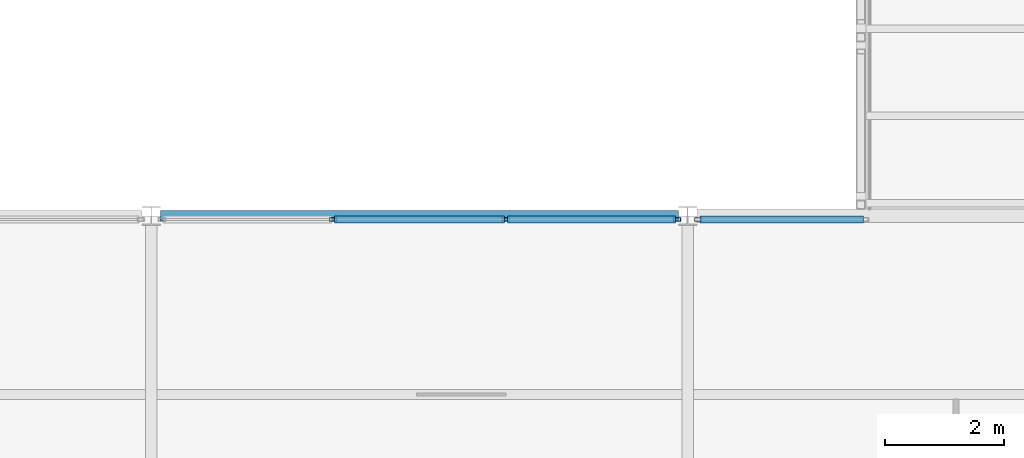
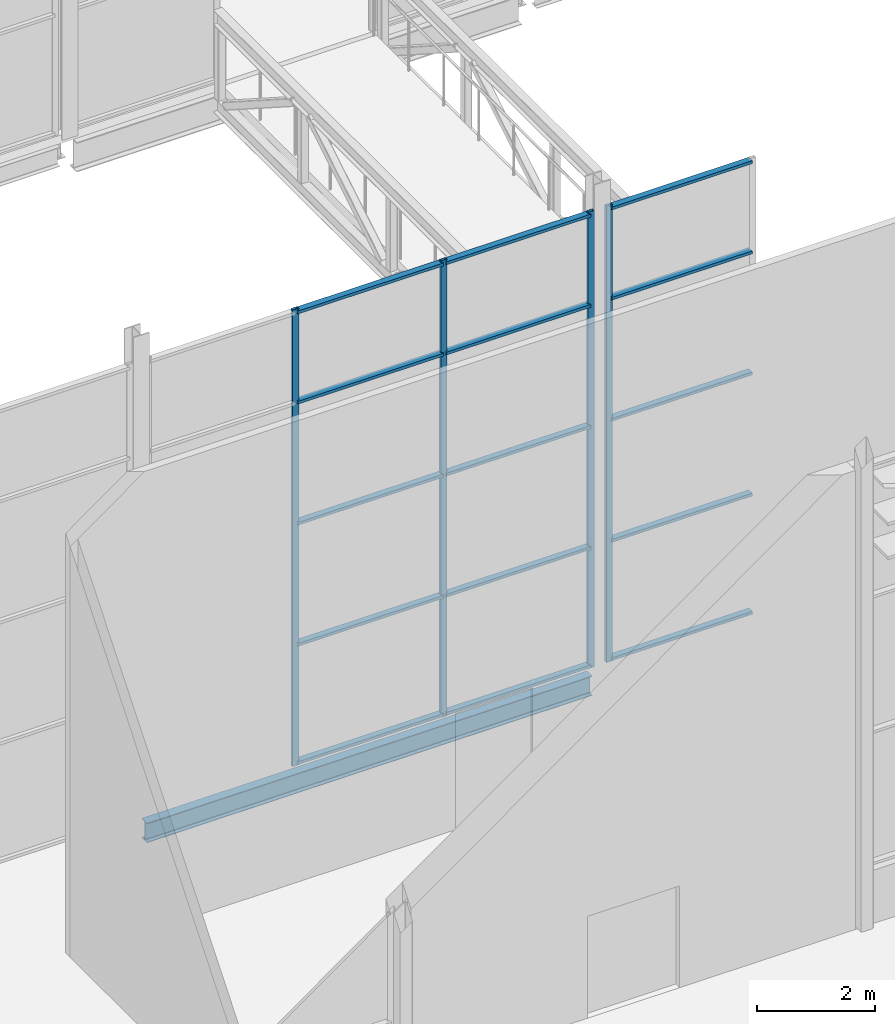
# One storey, part 21 of 111: 19 members, 1 beam, 2 elements without a shape of their own.
"""IFC4 building model written with IfcOpenShell, lengths in metres."""

from ifc_helpers import new_model, si_unit, direction, frame, origin, origin_2d, place, context, subcontext, project, spatial, hollow_rectangle, i_section, extrude, material, layer, layer_set, material_profile, profile_set, type_object, element, aggregate, save


model = new_model("IFC4")

# Units and contexts
model_context = context("Model", 3, precision=1e-05, world=origin(), true_north=direction((0.0, 1.0)))
body_context = subcontext(model_context, "Body", "Model", "MODEL_VIEW")
ifc_project = project(units=[si_unit("LENGTHUNIT", "METRE"), si_unit("AREAUNIT", "SQUARE_METRE"), si_unit("VOLUMEUNIT", "CUBIC_METRE"), si_unit("PLANEANGLEUNIT", "RADIAN"), si_unit("MASSUNIT", "GRAM", prefix="KILO")], contexts=[model_context])

# Site, building, storey
site_placement = place(None, origin())
site = spatial("IfcSite", under=ifc_project, at=site_placement, CompositionType="ELEMENT")
building_placement = place(site_placement, origin())
building = spatial("IfcBuilding", under=site, at=building_placement, Name="Shorebreak Coast Museum", CompositionType="ELEMENT")
storey_placement = place(building_placement, frame((0.0, 0.0, 16.0)))
storey = spatial("IfcBuildingStorey", under=building, at=storey_placement, Name="L03", CompositionType="ELEMENT", Elevation=16.0)

# Beam
ifc_material_1 = material(Name="Steel Grade 300", Category="steel")
ifc_material_profile_1 = material_profile(ifc_material_1, i_section(OverallWidth=0.177978515625, OverallDepth=0.402587890625, WebThickness=0.007568359375, FlangeThickness=0.010986328125, FilletRadius=0.011474609375, at=origin_2d()), Name="410UB53.7")
ifc_profile_set_1 = profile_set([ifc_material_profile_1], Name="Steel Grade 300")
beam_type = type_object("IfcBeamType", Name="Floor girder east-west 410UB53.7", PredefinedType="BEAM", material=ifc_profile_set_1)
beam_placement = place(storey_placement, frame((72.155517578125, 63.0, -0.376220703125), z_axis=(1.0, 0.0, 0.0), x_axis=(0.0, 1.0, 0.0)))
element("IfcBeam", 1, at=beam_placement, inside=storey, type_object=beam_type, Name="Floor girder east-west L03 9H", PredefinedType="BEAM", context=body_context, shape_type="SweptSolid", body=[
    extrude(i_section(OverallWidth=0.177978515625, OverallDepth=0.402587890625, WebThickness=0.007568359375, FlangeThickness=0.010986328125, FilletRadius=0.011474609375, at=origin_2d()), origin(), (0.0, 0.0, 1.0), 8.68896484375),
])

# Curtain wall, members
ifc_material_2 = material(Name="Aluminium", Category="aluminium")
ifc_layer = layer(ifc_material_2, 0.1201171875)
ifc_layer_set = layer_set([ifc_layer], Name="Aluminium")
curtain_wall_type = type_object("IfcCurtainWallType", Name="Atrium fire screen", PredefinedType="NOTDEFINED", material=ifc_layer_set)
curtain_wall_1_placement = place(storey_placement, origin())
curtain_wall_1 = element("IfcCurtainWall", 2, at=curtain_wall_1_placement, inside=storey, type_object=curtain_wall_type, Name="Atrium screen L03 S 34", PredefinedType="NOTDEFINED")
ifc_material_3 = material(Name="Aluminium", Category="aluminium")
ifc_material_profile_2 = material_profile(ifc_material_3, hollow_rectangle(XDim=0.06005859375, YDim=0.1201171875, WallThickness=0.00341796875, at=origin_2d()), Name="AL 120x60 RHS")
ifc_profile_set_2 = profile_set([ifc_material_profile_2], Name="Aluminium")
member_type_1 = type_object("IfcMemberType", Name="Screen mullion 50 x 120", PredefinedType="MULLION", material=ifc_profile_set_2)
member_1_placement = place(storey_placement, frame((75.051513671875, 62.93994140625, 0.0), z_axis=(0.0, 0.0, 1.0), x_axis=(0.0, 1.0, 0.0)))
member_1 = element("IfcMember", 3, at=member_1_placement, type_object=member_type_1, Name="CW5 mullion 2", PredefinedType="MULLION", context=body_context, shape_type="SweptSolid", body=[
    extrude(hollow_rectangle(XDim=0.06005859375, YDim=0.1201171875, WallThickness=0.00341796875, at=origin_2d()), origin(), (0.0, 0.0, 1.0), 9.42236328125),
])
member_2_placement = place(storey_placement, frame((77.948486328125, 62.93994140625, 0.0), z_axis=(0.0, 0.0, 1.0), x_axis=(0.0, 1.0, 0.0)))
member_2 = element("IfcMember", 4, at=member_2_placement, type_object=member_type_1, Name="CW5 mullion 3", PredefinedType="MULLION", context=body_context, shape_type="SweptSolid", body=[
    extrude(hollow_rectangle(XDim=0.06005859375, YDim=0.1201171875, WallThickness=0.00341796875, at=origin_2d()), origin(), (0.0, 0.0, 1.0), 9.42236328125),
])
member_3_placement = place(storey_placement, frame((80.820556640625, 62.93994140625, 0.0), z_axis=(0.0, 0.0, 1.0), x_axis=(0.0, 1.0, 0.0)))
member_3 = element("IfcMember", 5, at=member_3_placement, type_object=member_type_1, Name="CW5 mullion 4", PredefinedType="MULLION", context=body_context, shape_type="SweptSolid", body=[
    extrude(hollow_rectangle(XDim=0.06005859375, YDim=0.1201171875, WallThickness=0.00341796875, at=origin_2d()), origin(), (0.0, 0.0, 1.0), 9.42236328125),
])

# Curtain wall, member
curtain_wall_2_placement = place(storey_placement, origin())
curtain_wall_2 = element("IfcCurtainWall", 6, at=curtain_wall_2_placement, inside=storey, type_object=curtain_wall_type, Name="Atrium screen L03 S 35", PredefinedType="NOTDEFINED")
member_4_placement = place(storey_placement, frame((81.179443359375, 62.93994140625, 0.0), z_axis=(0.0, 0.0, 1.0), x_axis=(0.0, 1.0, 0.0)))
member_4 = element("IfcMember", 7, at=member_4_placement, type_object=member_type_1, Name="CW6 mullion 1", PredefinedType="MULLION", context=body_context, shape_type="SweptSolid", body=[
    extrude(hollow_rectangle(XDim=0.06005859375, YDim=0.1201171875, WallThickness=0.00341796875, at=origin_2d()), origin(), (0.0, 0.0, 1.0), 9.42236328125),
])

# Member
ifc_material_4 = material(Name="Aluminium", Category="aluminium")
ifc_material_profile_3 = material_profile(ifc_material_4, hollow_rectangle(XDim=0.1201171875, YDim=0.06005859375, WallThickness=0.00341796875, at=origin_2d()), Name="AL 60x120 RHS")
ifc_profile_set_3 = profile_set([ifc_material_profile_3], Name="Aluminium")
member_type_2 = type_object("IfcMemberType", Name="Screen transom 120 x 50", PredefinedType="USERDEFINED", material=ifc_profile_set_3)
member_5_placement = place(storey_placement, frame((75.076416015625, 62.93994140625, 0.06005859375), z_axis=(1.0, 0.0, 0.0), x_axis=(0.0, 1.0, 0.0)))
member_5 = element("IfcMember", 8, at=member_5_placement, type_object=member_type_2, Name="CW5 transom 2.1", ObjectType="TRANSOM", PredefinedType="USERDEFINED", context=body_context, shape_type="SweptSolid", body=[
    extrude(hollow_rectangle(XDim=0.1201171875, YDim=0.06005859375, WallThickness=0.00341796875, at=origin_2d()), origin(), (0.0, 0.0, 1.0), 2.84716796875),
])

member_6_placement = place(storey_placement, frame((75.076416015625, 62.93994140625, 2.5), z_axis=(1.0, 0.0, 0.0), x_axis=(0.0, 1.0, 0.0)))
member_6 = element("IfcMember", 9, at=member_6_placement, type_object=member_type_2, Name="CW5 transom 2.2", ObjectType="TRANSOM", PredefinedType="USERDEFINED", context=body_context, shape_type="SweptSolid", body=[
    extrude(hollow_rectangle(XDim=0.1201171875, YDim=0.06005859375, WallThickness=0.00341796875, at=origin_2d()), origin(), (0.0, 0.0, 1.0), 2.84716796875),
])

member_7_placement = place(storey_placement, frame((75.076416015625, 62.93994140625, 5.0), z_axis=(1.0, 0.0, 0.0), x_axis=(0.0, 1.0, 0.0)))
member_7 = element("IfcMember", 10, at=member_7_placement, type_object=member_type_2, Name="CW5 transom 2.3", ObjectType="TRANSOM", PredefinedType="USERDEFINED", context=body_context, shape_type="SweptSolid", body=[
    extrude(hollow_rectangle(XDim=0.1201171875, YDim=0.06005859375, WallThickness=0.00341796875, at=origin_2d()), origin(), (0.0, 0.0, 1.0), 2.84716796875),
])

member_8_placement = place(storey_placement, frame((75.076416015625, 62.93994140625, 7.5), z_axis=(1.0, 0.0, 0.0), x_axis=(0.0, 1.0, 0.0)))
member_8 = element("IfcMember", 11, at=member_8_placement, type_object=member_type_2, Name="CW5 transom 2.4", ObjectType="TRANSOM", PredefinedType="USERDEFINED", context=body_context, shape_type="SweptSolid", body=[
    extrude(hollow_rectangle(XDim=0.1201171875, YDim=0.06005859375, WallThickness=0.00341796875, at=origin_2d()), origin(), (0.0, 0.0, 1.0), 2.84716796875),
])

member_9_placement = place(storey_placement, frame((75.076416015625, 62.93994140625, 9.3623046875), z_axis=(1.0, 0.0, 0.0), x_axis=(0.0, 1.0, 0.0)))
member_9 = element("IfcMember", 12, at=member_9_placement, type_object=member_type_2, Name="CW5 transom 2.5", ObjectType="TRANSOM", PredefinedType="USERDEFINED", context=body_context, shape_type="SweptSolid", body=[
    extrude(hollow_rectangle(XDim=0.1201171875, YDim=0.06005859375, WallThickness=0.00341796875, at=origin_2d()), origin(), (0.0, 0.0, 1.0), 2.84716796875),
])

member_10_placement = place(storey_placement, frame((77.973388671875, 62.93994140625, 0.06005859375), z_axis=(1.0, 0.0, 0.0), x_axis=(0.0, 1.0, 0.0)))
member_10 = element("IfcMember", 13, at=member_10_placement, type_object=member_type_2, Name="CW5 transom 3.1", ObjectType="TRANSOM", PredefinedType="USERDEFINED", context=body_context, shape_type="SweptSolid", body=[
    extrude(hollow_rectangle(XDim=0.1201171875, YDim=0.06005859375, WallThickness=0.00341796875, at=origin_2d()), origin(), (0.0, 0.0, 1.0), 2.822021484375),
])

member_11_placement = place(storey_placement, frame((77.973388671875, 62.93994140625, 2.5), z_axis=(1.0, 0.0, 0.0), x_axis=(0.0, 1.0, 0.0)))
member_11 = element("IfcMember", 14, at=member_11_placement, type_object=member_type_2, Name="CW5 transom 3.2", ObjectType="TRANSOM", PredefinedType="USERDEFINED", context=body_context, shape_type="SweptSolid", body=[
    extrude(hollow_rectangle(XDim=0.1201171875, YDim=0.06005859375, WallThickness=0.00341796875, at=origin_2d()), origin(), (0.0, 0.0, 1.0), 2.822021484375),
])

member_12_placement = place(storey_placement, frame((77.973388671875, 62.93994140625, 5.0), z_axis=(1.0, 0.0, 0.0), x_axis=(0.0, 1.0, 0.0)))
member_12 = element("IfcMember", 15, at=member_12_placement, type_object=member_type_2, Name="CW5 transom 3.3", ObjectType="TRANSOM", PredefinedType="USERDEFINED", context=body_context, shape_type="SweptSolid", body=[
    extrude(hollow_rectangle(XDim=0.1201171875, YDim=0.06005859375, WallThickness=0.00341796875, at=origin_2d()), origin(), (0.0, 0.0, 1.0), 2.822021484375),
])

member_13_placement = place(storey_placement, frame((77.973388671875, 62.93994140625, 7.5), z_axis=(1.0, 0.0, 0.0), x_axis=(0.0, 1.0, 0.0)))
member_13 = element("IfcMember", 16, at=member_13_placement, type_object=member_type_2, Name="CW5 transom 3.4", ObjectType="TRANSOM", PredefinedType="USERDEFINED", context=body_context, shape_type="SweptSolid", body=[
    extrude(hollow_rectangle(XDim=0.1201171875, YDim=0.06005859375, WallThickness=0.00341796875, at=origin_2d()), origin(), (0.0, 0.0, 1.0), 2.822021484375),
])

member_14_placement = place(storey_placement, frame((77.973388671875, 62.93994140625, 9.3623046875), z_axis=(1.0, 0.0, 0.0), x_axis=(0.0, 1.0, 0.0)))
member_14 = element("IfcMember", 17, at=member_14_placement, type_object=member_type_2, Name="CW5 transom 3.5", ObjectType="TRANSOM", PredefinedType="USERDEFINED", context=body_context, shape_type="SweptSolid", body=[
    extrude(hollow_rectangle(XDim=0.1201171875, YDim=0.06005859375, WallThickness=0.00341796875, at=origin_2d()), origin(), (0.0, 0.0, 1.0), 2.822021484375),
])

aggregate(curtain_wall_1, [member_1, member_2, member_3, member_5, member_6, member_7, member_8, member_9, member_10, member_11, member_12, member_13, member_14])

member_15_placement = place(storey_placement, frame((81.20458984375, 62.93994140625, 0.06005859375), z_axis=(1.0, 0.0, 0.0), x_axis=(0.0, 1.0, 0.0)))
member_15 = element("IfcMember", 18, at=member_15_placement, type_object=member_type_2, Name="CW6 transom 1.1", ObjectType="TRANSOM", PredefinedType="USERDEFINED", context=body_context, shape_type="SweptSolid", body=[
    extrude(hollow_rectangle(XDim=0.1201171875, YDim=0.06005859375, WallThickness=0.00341796875, at=origin_2d()), origin(), (0.0, 0.0, 1.0), 2.745361328125),
])

member_16_placement = place(storey_placement, frame((81.20458984375, 62.93994140625, 2.5), z_axis=(1.0, 0.0, 0.0), x_axis=(0.0, 1.0, 0.0)))
member_16 = element("IfcMember", 19, at=member_16_placement, type_object=member_type_2, Name="CW6 transom 1.2", ObjectType="TRANSOM", PredefinedType="USERDEFINED", context=body_context, shape_type="SweptSolid", body=[
    extrude(hollow_rectangle(XDim=0.1201171875, YDim=0.06005859375, WallThickness=0.00341796875, at=origin_2d()), origin(), (0.0, 0.0, 1.0), 2.745361328125),
])

member_17_placement = place(storey_placement, frame((81.20458984375, 62.93994140625, 5.0), z_axis=(1.0, 0.0, 0.0), x_axis=(0.0, 1.0, 0.0)))
member_17 = element("IfcMember", 20, at=member_17_placement, type_object=member_type_2, Name="CW6 transom 1.3", ObjectType="TRANSOM", PredefinedType="USERDEFINED", context=body_context, shape_type="SweptSolid", body=[
    extrude(hollow_rectangle(XDim=0.1201171875, YDim=0.06005859375, WallThickness=0.00341796875, at=origin_2d()), origin(), (0.0, 0.0, 1.0), 2.745361328125),
])

member_18_placement = place(storey_placement, frame((81.20458984375, 62.93994140625, 7.5), z_axis=(1.0, 0.0, 0.0), x_axis=(0.0, 1.0, 0.0)))
member_18 = element("IfcMember", 21, at=member_18_placement, type_object=member_type_2, Name="CW6 transom 1.4", ObjectType="TRANSOM", PredefinedType="USERDEFINED", context=body_context, shape_type="SweptSolid", body=[
    extrude(hollow_rectangle(XDim=0.1201171875, YDim=0.06005859375, WallThickness=0.00341796875, at=origin_2d()), origin(), (0.0, 0.0, 1.0), 2.745361328125),
])

member_19_placement = place(storey_placement, frame((81.20458984375, 62.93994140625, 9.3623046875), z_axis=(1.0, 0.0, 0.0), x_axis=(0.0, 1.0, 0.0)))
member_19 = element("IfcMember", 22, at=member_19_placement, type_object=member_type_2, Name="CW6 transom 1.5", ObjectType="TRANSOM", PredefinedType="USERDEFINED", context=body_context, shape_type="SweptSolid", body=[
    extrude(hollow_rectangle(XDim=0.1201171875, YDim=0.06005859375, WallThickness=0.00341796875, at=origin_2d()), origin(), (0.0, 0.0, 1.0), 2.745361328125),
])

aggregate(curtain_wall_2, [member_4, member_15, member_16, member_17, member_18, member_19])

save(model, "model.ifc")
